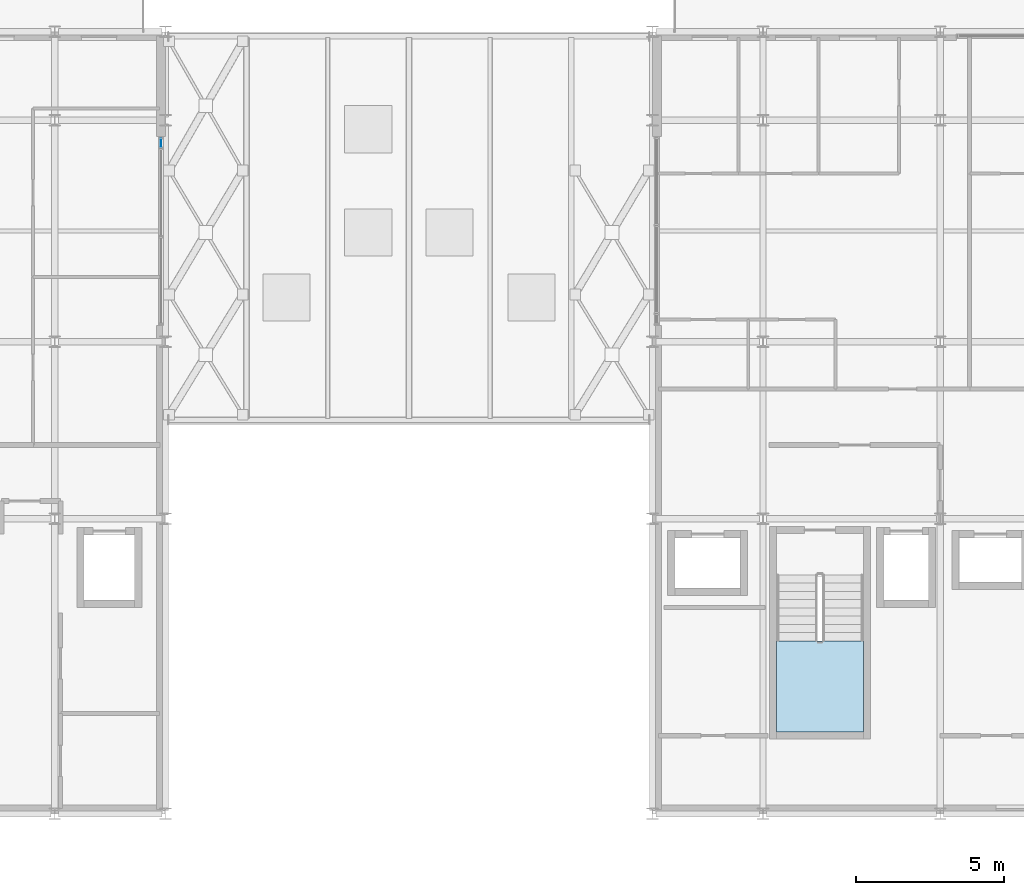
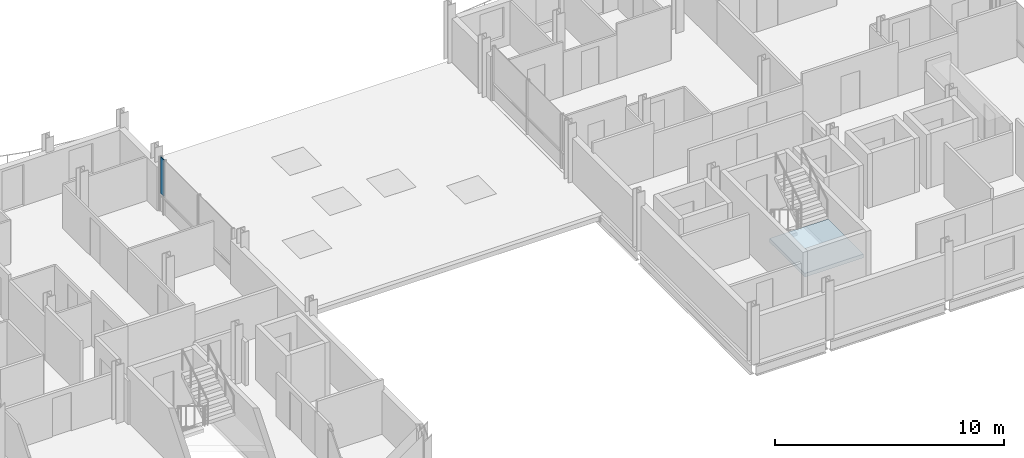
# One storey, part 22 of 33: 1 plate, 1 slab, 2 elements without a shape of their own.
"""IFC4 building model written with IfcOpenShell, lengths in metres."""

import ifcopenshell
import ifcopenshell.guid

model = None  # the IFC model being written
_history = None  # IfcOwnerHistory: only IFC2X3 demands one
_inside = {}  # id of a spatial element -> (the spatial element, [elements in it])
_under = {}  # id of a project, library or spatial element -> (it, [spatial elements below it])
_declared = {}  # id of a project -> (the project, [libraries it declares])
_typed = {}  # id of a type object -> (the type object, [elements of that type])
_made_of = {}  # id of a material, layer set ... -> (it, [elements and type objects made of it])


def new_model(schema):
    """Start an empty IFC model of exactly this schema.

    Asked for "IFC4X3", IfcOpenShell would pick the latest addendum, in which some entities
    have other attributes; the version numbers below select the first issue.
    IFC2X3 requires an IfcOwnerHistory on every rooted entity: one is made here for all.
    """
    global model, _history
    if schema == "IFC4X3":
        model = ifcopenshell.file(schema_version=(4, 3, 0, 0))
    else:
        model = ifcopenshell.file(schema=schema)
    _inside.clear()
    _under.clear()
    _declared.clear()
    _typed.clear()
    _made_of.clear()
    _history = None
    if model.schema == "IFC2X3":
        org = make("IfcOrganization", Name="unknown")
        user = make(
            "IfcPersonAndOrganization",
            ThePerson=make("IfcPerson", FamilyName="unknown"),
            TheOrganization=org,
        )
        app = make(
            "IfcApplication",
            ApplicationDeveloper=org,
            Version="unknown",
            ApplicationFullName="unknown",
            ApplicationIdentifier="unknown",
        )
        _history = make(
            "IfcOwnerHistory",
            OwningUser=user,
            OwningApplication=app,
            ChangeAction="ADDED",
            CreationDate=0,
        )
    return model


def make(cls, **values):
    """One entity of the class cls with the attributes given. An attribute that is None is left unset."""
    return model.create_entity(
        cls, **{name: value for name, value in values.items() if value is not None}
    )


def rooted(cls, **values):
    """An entity with a GlobalId (a new one), such as an element, a storey or a relation."""
    return make(cls, GlobalId=ifcopenshell.guid.new(), OwnerHistory=_history, **values)


def si_unit(unit_type, name, prefix=None):
    """IfcSIUnit, for example si_unit("LENGTHUNIT", "METRE", prefix="MILLI")."""
    return make("IfcSIUnit", UnitType=unit_type, Prefix=prefix, Name=name)


def assignment(units):
    """IfcUnitAssignment: the units of a project."""
    return None if units is None else make("IfcUnitAssignment", Units=units)


def point(xyz):
    """IfcCartesianPoint."""
    return None if xyz is None else make("IfcCartesianPoint", Coordinates=xyz)


def direction(xyz):
    """IfcDirection."""
    return None if xyz is None else make("IfcDirection", DirectionRatios=xyz)


def frame(location, z_axis=None, x_axis=None):
    """IfcAxis2Placement3D, a coordinate frame: its origin and axes. An axis left out is left unset."""
    return make(
        "IfcAxis2Placement3D",
        Location=point(location),
        Axis=direction(z_axis),
        RefDirection=direction(x_axis),
    )


def frame_2d(location, x_axis=None):
    """IfcAxis2Placement2D, a coordinate frame in the plane: its origin and x axis."""
    return make(
        "IfcAxis2Placement2D", Location=point(location), RefDirection=direction(x_axis)
    )


def origin():
    """The frame at (0, 0, 0) with its axes left unset."""
    return frame((0.0, 0.0, 0.0))


def origin_2d():
    """The frame at (0, 0) in the plane with its x axis left unset."""
    return frame_2d((0.0, 0.0))


def place(relative_to, where):
    """IfcLocalPlacement: puts the frame where relative to a parent placement (None: the world)."""
    return make(
        "IfcLocalPlacement", PlacementRelTo=relative_to, RelativePlacement=where
    )


def context(
    kind, dimensions, precision=None, world=None, true_north=None, identifier=None
):
    """IfcGeometricRepresentationContext, for example the 3D "Model" context."""
    return make(
        "IfcGeometricRepresentationContext",
        ContextIdentifier=identifier,
        ContextType=kind,
        CoordinateSpaceDimension=dimensions,
        Precision=precision,
        WorldCoordinateSystem=world,
        TrueNorth=true_north,
    )


def subcontext(parent, identifier, kind, view, scale=None):
    """IfcGeometricRepresentationSubContext, for example "Body" below "Model"."""
    return make(
        "IfcGeometricRepresentationSubContext",
        ContextIdentifier=identifier,
        ContextType=kind,
        ParentContext=parent,
        TargetScale=scale,
        TargetView=view,
    )


def project(units=None, contexts=None):
    """IfcProject with its units and contexts."""
    return rooted(
        "IfcProject",
        Name="project",
        RepresentationContexts=contexts,
        UnitsInContext=assignment(units),
    )


def spatial(cls, under=None, at=None, **own):
    """A site, building, storey or space (cls), placed at a placement, below another one or the project."""
    s = rooted(cls, ObjectPlacement=at, **own)
    if under is not None:
        _under.setdefault(under.id(), (under, []))[1].append(s)
    return s


def polyline(points):
    """IfcPolyline through the points."""
    return make("IfcPolyline", Points=[point(p) for p in points])


def profile(cls, at=None, kind="AREA", **sizes):
    """A parametric profile (cls). Its sizes go by their IFC names, for example OverallWidth=200.0."""
    return make(cls, ProfileType=kind, Position=at, **sizes)


def rectangle(**sizes):
    """IfcRectangleProfileDef."""
    return profile("IfcRectangleProfileDef", **sizes)


def outline(outer, holes=None, kind="AREA"):
    """IfcArbitraryClosedProfileDef: a profile drawn as a closed curve; with holes, ...WithVoids."""
    if holes is None:
        return make("IfcArbitraryClosedProfileDef", ProfileType=kind, OuterCurve=outer)
    return make(
        "IfcArbitraryProfileDefWithVoids",
        ProfileType=kind,
        OuterCurve=outer,
        InnerCurves=holes,
    )


def extrude(swept, where, along, depth):
    """IfcExtrudedAreaSolid: the profile swept, set in the frame where, extruded along a direction by depth."""
    return make(
        "IfcExtrudedAreaSolid",
        SweptArea=swept,
        Position=where,
        ExtrudedDirection=direction(along),
        Depth=depth,
    )


def shape(context_of_items, identifier, shape_type, items):
    """IfcShapeRepresentation: the items that make up one representation, for example the "Body"."""
    return make(
        "IfcShapeRepresentation",
        ContextOfItems=context_of_items,
        RepresentationIdentifier=identifier,
        RepresentationType=shape_type,
        Items=items,
    )


def material(Name=None, Category=None):
    """IfcMaterial."""
    return make("IfcMaterial", Name=Name, Category=Category)


def layer(
    of_material, thickness, ventilated=None, Name=None, Category=None, Priority=None
):
    """IfcMaterialLayer: one layer of a wall or slab, of a material (None: an air gap)."""
    return make(
        "IfcMaterialLayer",
        Material=of_material,
        LayerThickness=thickness,
        IsVentilated=ventilated,
        Name=Name,
        Category=Category,
        Priority=Priority,
    )


def layer_set(layers, Name=None):
    """IfcMaterialLayerSet."""
    return make("IfcMaterialLayerSet", MaterialLayers=layers, LayerSetName=Name)


def made_of(thing, what):
    """Note that an element or type object is made of a material, layer set ...; save() writes the relation."""
    if what is not None:
        _made_of.setdefault(what.id(), (what, []))[1].append(thing)
    return thing


def type_object(cls, material=None, **own):
    """A type object (cls), such as IfcWallType, which elements share."""
    return made_of(rooted(cls, **own), material)


def element(
    cls,
    number,
    at=None,
    inside=None,
    cuts=None,
    type_object=None,
    material=None,
    context=None,
    identifier="Body",
    shape_type=None,
    held_by="IfcProductDefinitionShape",
    body=None,
    shapes=None,
    **own,
):
    """One element of the class cls, such as IfcWall. Its Tag is "e" and its number.

    at: its placement. inside: the storey or other place that contains it. cuts: it is an
    opening in that element (IfcRelVoidsElement). A single representation is given by context,
    identifier, shape_type and body (its items); several are given by shapes. held_by: the class
    of the entity that holds the representations. save() writes the other relations.
    """
    e = rooted(cls, Tag="e%d" % number, ObjectPlacement=at, **own)
    if body is not None:
        shapes = [shape(context, identifier, shape_type, body)]
    if shapes is not None:
        e.Representation = make(held_by, Representations=shapes)
    if inside is not None:
        _inside.setdefault(inside.id(), (inside, []))[1].append(e)
    if cuts is not None:
        rooted(
            "IfcRelVoidsElement", RelatingBuildingElement=cuts, RelatedOpeningElement=e
        )
    if type_object is not None:
        _typed.setdefault(type_object.id(), (type_object, []))[1].append(e)
    return made_of(e, material)


def aggregate(whole, parts):
    """IfcRelAggregates: a whole, such as a stair, and the parts it consists of."""
    return rooted("IfcRelAggregates", RelatingObject=whole, RelatedObjects=parts)


def save(model, path):
    """Write the relations noted so far, then the file.

    IfcRelAggregates (storeys below a building ...), IfcRelContainedInSpatialStructure (elements
    in a storey), IfcRelDefinesByType, IfcRelAssociatesMaterial and IfcRelDeclares: one each for
    every whole, place, type object, material and project.
    """
    for whole, parts in _under.values():
        aggregate(whole, parts)
    for where, things in _inside.values():
        rooted(
            "IfcRelContainedInSpatialStructure",
            RelatedElements=things,
            RelatingStructure=where,
        )
    for kind, things in _typed.values():
        rooted("IfcRelDefinesByType", RelatedObjects=things, RelatingType=kind)
    for what, things in _made_of.values():
        rooted("IfcRelAssociatesMaterial", RelatedObjects=things, RelatingMaterial=what)
    for by, libraries in _declared.values():
        rooted("IfcRelDeclares", RelatingContext=by, RelatedDefinitions=libraries)
    model.write(path)


model = new_model("IFC4")

# Units and contexts
model_context = context("Model", 3, precision=1e-05, world=origin(), true_north=direction((0.0, 1.0)))
body_context = subcontext(model_context, "Body", "Model", "MODEL_VIEW")
ifc_project = project(units=[si_unit("LENGTHUNIT", "METRE"), si_unit("AREAUNIT", "SQUARE_METRE"), si_unit("VOLUMEUNIT", "CUBIC_METRE"), si_unit("PLANEANGLEUNIT", "RADIAN"), si_unit("MASSUNIT", "GRAM", prefix="KILO")], contexts=[model_context])

# Site, building, storey
site_placement = place(None, origin())
site = spatial("IfcSite", under=ifc_project, at=site_placement, CompositionType="ELEMENT")
building_placement = place(site_placement, origin())
building = spatial("IfcBuilding", under=site, at=building_placement, Name="Brevholm Reach", CompositionType="ELEMENT")
storey_placement = place(building_placement, frame((0.0, 0.0, 189.39990234375)))
storey = spatial("IfcBuildingStorey", under=building, at=storey_placement, Name="L57", CompositionType="ELEMENT", Elevation=189.39990234375)

# Curtain wall, plate
ifc_material_1 = material(Name="Dark Anodised Aluminium 6063-T6 and Solar-Control Glass", Category="aluminium")
ifc_layer_1 = layer(ifc_material_1, 0.1650390625)
ifc_layer_set_1 = layer_set([ifc_layer_1], Name="Dark Anodised Aluminium 6063-T6 and Solar-Control Glass")
curtain_wall_type = type_object("IfcCurtainWallType", Name="CW-04", PredefinedType="NOTDEFINED", material=ifc_layer_set_1)
curtain_wall_placement = place(storey_placement, origin())
curtain_wall = element("IfcCurtainWall", 1, at=curtain_wall_placement, inside=storey, type_object=curtain_wall_type, Name="L57 Curtain Wall CW-04", PredefinedType="NOTDEFINED")
ifc_material_2 = material(Name="Dark Solar-Control Double-Glazed IGU Glass", Category="glass")
ifc_layer_2 = layer(ifc_material_2, 0.028076171875)
ifc_layer_set_2 = layer_set([ifc_layer_2], Name="Dark Solar-Control Double-Glazed IGU Glass")
plate_type = type_object("IfcPlateType", Name="CWP-GLZ-28", PredefinedType="CURTAIN_PANEL", material=ifc_layer_set_2)
plate_placement = place(storey_placement, frame((21.60009765625, 22.732421875, 0.93505859375), z_axis=(0.0, 0.0, 1.0), x_axis=(0.0, 1.0, 0.0)))
plate = element("IfcPlate", 2, at=plate_placement, type_object=plate_type, Name="CP-01 Glazing Panel 3.2", PredefinedType="CURTAIN_PANEL", context=body_context, shape_type="SweptSolid", body=[
    extrude(rectangle(XDim=0.294921875, YDim=0.028076171875, at=origin_2d()), origin(), (0.0, 0.0, 1.0), 1.955078125),
])
aggregate(curtain_wall, [plate])

# Stair, slab
ifc_material_3 = material(Name="Precast Concrete C40/50", Category="concrete")
stair_type = type_object("IfcStairType", Name="STR-ESC-1400", PredefinedType="DOUBLE_RETURN_STAIR", material=ifc_material_3)
stair_placement = place(storey_placement, origin())
stair = element("IfcStair", 3, at=stair_placement, inside=storey, type_object=stair_type, Name="L57 ST-2", PredefinedType="DOUBLE_RETURN_STAIR")
ifc_material_4 = material(Name="Concrete C40/50", Category="concrete")
ifc_layer_3 = layer(ifc_material_4, 0.199951171875)
ifc_layer_set_3 = layer_set([ifc_layer_3], Name="Concrete C40/50")
slab_type = type_object("IfcSlabType", Name="SLB-LND-200", PredefinedType="LANDING", material=ifc_layer_set_3)
slab_placement = place(storey_placement, frame((0.0, 0.0, 1.35009765625)))
slab = element("IfcSlab", 4, at=slab_placement, type_object=slab_type, Name="ST-2 landing 1", PredefinedType="LANDING", context=body_context, shape_type="SweptSolid", body=[
    extrude(outline(polyline([(42.449951171875, 5.860107421875), (42.449951171875, 2.780029296875), (45.39990234375, 2.780029296875), (45.39990234375, 5.860107421875), (42.449951171875, 5.860107421875)])), origin(), (0.0, 0.0, 1.0), 0.199951171875),
])
aggregate(stair, [slab])

save(model, "model.ifc")
